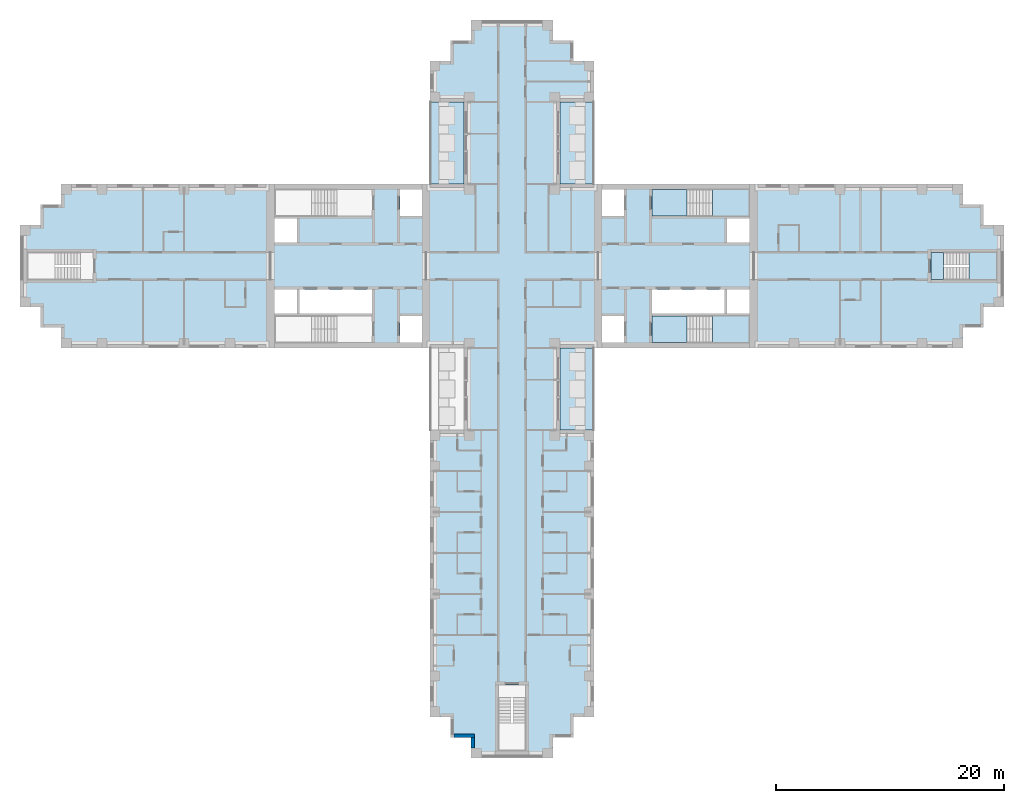
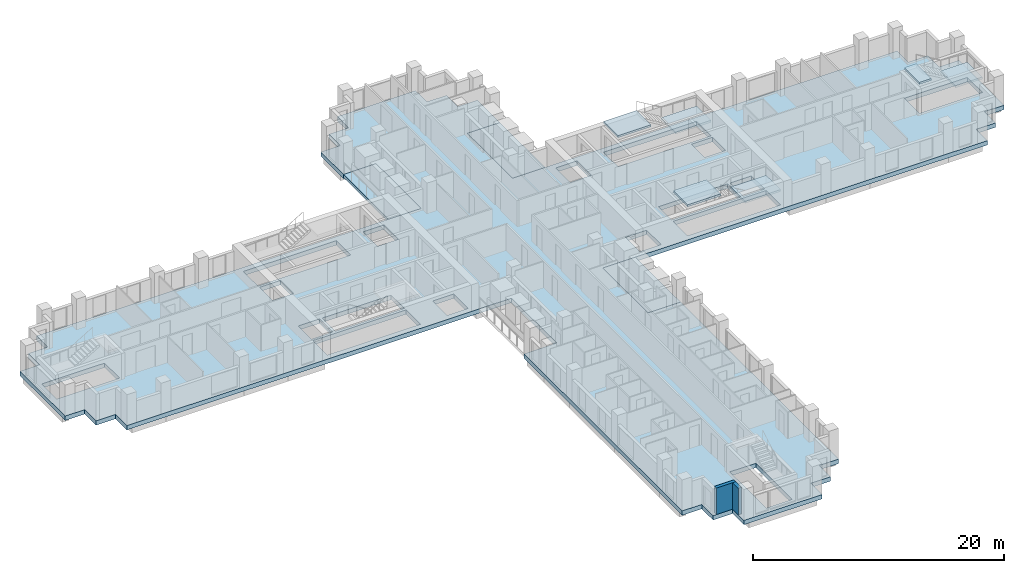
# One storey, part 2 of 14: 10 slabs, 2 walls, 3 elements without a shape of their own.
"""IFC4 building model written with IfcOpenShell, lengths in metres."""

from ifc_helpers import new_model, si_unit, direction, frame, frame_2d, origin, place, context, subcontext, project, spatial, polyline, rectangle, outline, extrude, material, layer, layer_set, type_object, element, aggregate, save


model = new_model("IFC4")

# Units and contexts
model_context = context("Model", 3, precision=1e-05, world=origin(), true_north=direction((0.0, 1.0)))
body_context = subcontext(model_context, "Body", "Model", "MODEL_VIEW")
ifc_project = project(units=[si_unit("LENGTHUNIT", "METRE"), si_unit("AREAUNIT", "SQUARE_METRE"), si_unit("VOLUMEUNIT", "CUBIC_METRE"), si_unit("PLANEANGLEUNIT", "RADIAN"), si_unit("MASSUNIT", "GRAM", prefix="KILO")], contexts=[model_context])

# Site, building, storey
site_placement = place(None, origin())
site = spatial("IfcSite", under=ifc_project, at=site_placement, CompositionType="ELEMENT")
building_placement = place(site_placement, origin())
building = spatial("IfcBuilding", under=site, at=building_placement, Name="Fustian Cross Tower", CompositionType="ELEMENT")
storey_placement = place(building_placement, frame((0.0, 0.0, 96.89990234375)))
storey = spatial("IfcBuildingStorey", under=building, at=storey_placement, Name="L30", CompositionType="ELEMENT", Elevation=96.89990234375)

# Slabs
ifc_material_1 = material(Name="Concrete C40/50", Category="concrete")
ifc_layer_1 = layer(ifc_material_1, 0.300048828125)
ifc_layer_set_1 = layer_set([ifc_layer_1], Name="Concrete C40/50")
slab_type_1 = type_object("IfcSlabType", Name="BS1 BALCONY SLAB 300", PredefinedType="FLOOR", material=ifc_layer_set_1)
slab_1_placement = place(storey_placement, frame((0.0, 0.0, -0.2998046875)))
element("IfcSlab", 1, at=slab_1_placement, inside=storey, type_object=slab_type_1, Name="Balcony slab", PredefinedType="FLOOR", context=body_context, shape_type="SweptSolid", body=[
    extrude(outline(polyline([(4.199951171875, 7.199951171875), (7.199951171875, 7.199951171875), (7.199951171875, 14.39990234375), (4.199951171875, 14.39990234375), (4.199951171875, 7.199951171875)])), origin(), (0.0, 0.0, 1.0), 0.2998046875),
])
slab_2_placement = place(storey_placement, frame((0.0, 0.0, -0.2998046875)))
element("IfcSlab", 2, at=slab_2_placement, inside=storey, type_object=slab_type_1, Name="Balcony slab", PredefinedType="FLOOR", context=body_context, shape_type="SweptSolid", body=[
    extrude(outline(polyline([(-7.199951171875, 7.199951171875), (-4.199951171875, 7.199951171875), (-4.199951171875, 14.39990234375), (-7.199951171875, 14.39990234375), (-7.199951171875, 7.199951171875)])), origin(), (0.0, 0.0, 1.0), 0.2998046875),
])
slab_3_placement = place(storey_placement, frame((0.0, 0.0, -0.2998046875)))
element("IfcSlab", 3, at=slab_3_placement, inside=storey, type_object=slab_type_1, Name="Balcony slab", PredefinedType="FLOOR", context=body_context, shape_type="SweptSolid", body=[
    extrude(outline(polyline([(4.199951171875, -14.39990234375), (7.199951171875, -14.39990234375), (7.199951171875, -7.199951171875), (4.199951171875, -7.199951171875), (4.199951171875, -14.39990234375)])), origin(), (0.0, 0.0, 1.0), 0.2998046875),
])
ifc_material_2 = material(Name="Concrete C40/50", Category="concrete")
ifc_layer_2 = layer(ifc_material_2, 0.425048828125)
ifc_layer_set_2 = layer_set([ifc_layer_2], Name="Concrete C40/50")
slab_type_2 = type_object("IfcSlabType", Name="FLAT SLAB 425", PredefinedType="FLOOR", material=ifc_layer_set_2)
slab_4_placement = place(storey_placement, frame((0.0, 0.0, -0.4248046875)))
element("IfcSlab", 4, at=slab_4_placement, inside=storey, type_object=slab_type_2, Name="FLOOR SLAB L30-1", PredefinedType="FLOOR", context=body_context, shape_type="SweptSolid", body=[
    extrude(outline(polyline([(-4.199951171875, -7.199951171875), (-39.60009765625, -7.199951171875), (-39.60009765625, -5.39990234375), (-41.39990234375, -5.39990234375), (-41.39990234375, -3.60009765625), (-43.199951171875, -3.60009765625), (-43.199951171875, 3.60009765625), (-41.39990234375, 3.60009765625), (-41.39990234375, 5.39990234375), (-39.60009765625, 5.39990234375), (-39.60009765625, 7.199951171875), (-4.199951171875, 7.199951171875), (-4.199951171875, 14.39990234375), (-7.199951171875, 14.39990234375), (-7.199951171875, 18.0), (-5.39990234375, 18.0), (-5.39990234375, 19.800048828125), (-3.60009765625, 19.800048828125), (-3.60009765625, 21.60009765625), (3.60009765625, 21.60009765625), (3.60009765625, 19.800048828125), (5.39990234375, 19.800048828125), (5.39990234375, 18.0), (7.199951171875, 18.0), (7.199951171875, 14.39990234375), (4.199951171875, 14.39990234375), (4.199951171875, 7.199951171875), (39.60009765625, 7.199951171875), (39.60009765625, 5.39990234375), (41.39990234375, 5.39990234375), (41.39990234375, 3.60009765625), (43.199951171875, 3.60009765625), (43.199951171875, -3.60009765625), (41.39990234375, -3.60009765625), (41.39990234375, -5.39990234375), (39.60009765625, -5.39990234375), (39.60009765625, -7.199951171875), (4.199951171875, -7.199951171875), (4.199951171875, -14.39990234375), (7.199951171875, -14.39990234375), (7.199951171875, -39.60009765625), (5.39990234375, -39.60009765625), (5.39990234375, -41.39990234375), (3.60009765625, -41.39990234375), (3.60009765625, -43.199951171875), (-3.60009765625, -43.199951171875), (-3.60009765625, -41.39990234375), (-5.39990234375, -41.39990234375), (-5.39990234375, -39.60009765625), (-7.199951171875, -39.60009765625), (-7.199951171875, -14.39990234375), (-4.199951171875, -14.39990234375), (-4.199951171875, -7.199951171875)]), holes=[polyline([(20.85009765625, -2.050048828125), (18.89990234375, -2.050048828125), (18.89990234375, -4.14990234375), (20.85009765625, -4.14990234375), (20.85009765625, -2.050048828125)]), polyline([(20.85009765625, 2.050048828125), (20.85009765625, 4.14990234375), (18.89990234375, 4.14990234375), (18.89990234375, 2.050048828125), (20.85009765625, 2.050048828125)]), polyline([(7.89990234375, 4.39990234375), (9.85009765625, 4.39990234375), (9.85009765625, 6.699951171875), (7.89990234375, 6.699951171875), (7.89990234375, 4.39990234375)]), polyline([(7.89990234375, -4.39990234375), (7.89990234375, -6.699951171875), (9.85009765625, -6.699951171875), (9.85009765625, -4.39990234375), (7.89990234375, -4.39990234375)]), polyline([(-18.89990234375, -2.050048828125), (-20.85009765625, -2.050048828125), (-20.85009765625, -4.14990234375), (-18.89990234375, -4.14990234375), (-18.89990234375, -2.050048828125)]), polyline([(-18.89990234375, 2.050048828125), (-18.89990234375, 4.14990234375), (-20.85009765625, 4.14990234375), (-20.85009765625, 2.050048828125), (-18.89990234375, 2.050048828125)]), polyline([(-9.85009765625, 4.39990234375), (-7.89990234375, 4.39990234375), (-7.89990234375, 6.699951171875), (-9.85009765625, 6.699951171875), (-9.85009765625, 4.39990234375)]), polyline([(-9.85009765625, -4.39990234375), (-9.85009765625, -6.699951171875), (-7.89990234375, -6.699951171875), (-7.89990234375, -4.39990234375), (-9.85009765625, -4.39990234375)]), polyline([(18.64990234375, -2.050048828125), (12.300048828125, -2.050048828125), (12.300048828125, -4.14990234375), (18.64990234375, -4.14990234375), (18.64990234375, -2.050048828125)]), polyline([(-12.300048828125, -4.14990234375), (-12.300048828125, -2.050048828125), (-18.64990234375, -2.050048828125), (-18.64990234375, -4.14990234375), (-12.300048828125, -4.14990234375)]), polyline([(12.300048828125, 4.39990234375), (20.85009765625, 4.39990234375), (20.85009765625, 6.699951171875), (12.300048828125, 6.699951171875), (12.300048828125, 4.39990234375)]), polyline([(12.300048828125, -4.39990234375), (12.300048828125, -6.699951171875), (20.85009765625, -6.699951171875), (20.85009765625, -4.39990234375), (12.300048828125, -4.39990234375)]), polyline([(-12.300048828125, 6.699951171875), (-20.85009765625, 6.699951171875), (-20.85009765625, 4.39990234375), (-12.300048828125, 4.39990234375), (-12.300048828125, 6.699951171875)]), polyline([(-12.300048828125, -6.699951171875), (-12.300048828125, -4.39990234375), (-20.85009765625, -4.39990234375), (-20.85009765625, -6.699951171875), (-12.300048828125, -6.699951171875)]), polyline([(-1.199951171875, -42.60009765625), (1.199951171875, -42.60009765625), (1.199951171875, -36.800048828125), (-1.199951171875, -36.800048828125), (-1.199951171875, -42.60009765625)]), polyline([(36.800048828125, 1.199951171875), (36.800048828125, -1.199951171875), (42.60009765625, -1.199951171875), (42.60009765625, 1.199951171875), (36.800048828125, 1.199951171875)]), polyline([(-36.800048828125, 1.199951171875), (-42.60009765625, 1.199951171875), (-42.60009765625, -1.199951171875), (-36.800048828125, -1.199951171875), (-36.800048828125, 1.199951171875)])]), origin(), (0.0, 0.0, 1.0), 0.4248046875),
])

# Stair, slabs
ifc_material_3 = material(Name="Concrete C50/60", Category="concrete")
stair_type_1 = type_object("IfcStairType", Name="STAIR 1150 HALF TURN", PredefinedType="HALF_TURN_STAIR", material=ifc_material_3)
stair_1_placement = place(storey_placement, origin())
stair_1 = element("IfcStair", 5, at=stair_1_placement, inside=storey, type_object=stair_type_1, Name="Stair ST1", PredefinedType="HALF_TURN_STAIR")
ifc_material_4 = material(Name="Concrete C50/60", Category="concrete")
ifc_layer_3 = layer(ifc_material_4, 0.199951171875)
ifc_layer_set_3 = layer_set([ifc_layer_3], Name="Concrete C50/60")
slab_type_3 = type_object("IfcSlabType", Name="STAIR LANDING", PredefinedType="LANDING", material=ifc_layer_set_3)
slab_5_placement = place(storey_placement, frame((0.0, 0.0, 1.300048828125)))
slab_5 = element("IfcSlab", 6, at=slab_5_placement, type_object=slab_type_3, Name="ST1 landing 1", PredefinedType="LANDING", context=body_context, shape_type="SweptSolid", body=[
    extrude(outline(polyline([(17.590087890625, 4.39990234375), (20.85009765625, 4.39990234375), (20.85009765625, 6.699951171875), (17.590087890625, 6.699951171875), (17.590087890625, 4.39990234375)])), origin(), (0.0, 0.0, 1.0), 0.199951171875),
])
slab_6_placement = place(storey_placement, frame((0.0, 0.0, 2.800048828125)))
slab_6 = element("IfcSlab", 7, at=slab_6_placement, type_object=slab_type_3, Name="ST1 landing 2", PredefinedType="LANDING", context=body_context, shape_type="SweptSolid", body=[
    extrude(outline(polyline([(12.300048828125, 4.39990234375), (15.35009765625, 4.39990234375), (15.35009765625, 6.699951171875), (12.300048828125, 6.699951171875), (12.300048828125, 4.39990234375)])), origin(), (0.0, 0.0, 1.0), 0.199951171875),
])
aggregate(stair_1, [slab_5, slab_6])

stair_2_placement = place(storey_placement, origin())
stair_2 = element("IfcStair", 8, at=stair_2_placement, inside=storey, type_object=stair_type_1, Name="Stair ST2", PredefinedType="HALF_TURN_STAIR")
slab_7_placement = place(storey_placement, frame((0.0, 0.0, 1.300048828125)))
slab_7 = element("IfcSlab", 9, at=slab_7_placement, type_object=slab_type_3, Name="ST2 landing 1", PredefinedType="LANDING", context=body_context, shape_type="SweptSolid", body=[
    extrude(outline(polyline([(17.590087890625, -4.39990234375), (20.85009765625, -4.39990234375), (20.85009765625, -6.699951171875), (17.590087890625, -6.699951171875), (17.590087890625, -4.39990234375)])), origin(), (0.0, 0.0, 1.0), 0.199951171875),
])
slab_8_placement = place(storey_placement, frame((0.0, 0.0, 2.800048828125)))
slab_8 = element("IfcSlab", 10, at=slab_8_placement, type_object=slab_type_3, Name="ST2 landing 2", PredefinedType="LANDING", context=body_context, shape_type="SweptSolid", body=[
    extrude(outline(polyline([(12.300048828125, -4.39990234375), (15.35009765625, -4.39990234375), (15.35009765625, -6.699951171875), (12.300048828125, -6.699951171875), (12.300048828125, -4.39990234375)])), origin(), (0.0, 0.0, 1.0), 0.199951171875),
])
aggregate(stair_2, [slab_7, slab_8])

ifc_material_5 = material(Name="Concrete C50/60", Category="concrete")
stair_type_2 = type_object("IfcStairType", Name="STAIR 1100 HALF TURN", PredefinedType="HALF_TURN_STAIR", material=ifc_material_5)
stair_3_placement = place(storey_placement, origin())
stair_3 = element("IfcStair", 11, at=stair_3_placement, inside=storey, type_object=stair_type_2, Name="Stair ST8", PredefinedType="HALF_TURN_STAIR")
slab_9_placement = place(storey_placement, frame((0.0, 0.0, 1.300048828125)))
slab_9 = element("IfcSlab", 12, at=slab_9_placement, type_object=slab_type_3, Name="ST8 landing 1", PredefinedType="LANDING", context=body_context, shape_type="SweptSolid", body=[
    extrude(outline(polyline([(40.139892578125, -1.199951171875), (42.60009765625, -1.199951171875), (42.60009765625, 1.199951171875), (40.139892578125, 1.199951171875), (40.139892578125, -1.199951171875)])), origin(), (0.0, 0.0, 1.0), 0.199951171875),
])
slab_10_placement = place(storey_placement, frame((0.0, 0.0, 2.800048828125)))
slab_10 = element("IfcSlab", 13, at=slab_10_placement, type_object=slab_type_3, Name="ST8 landing 2", PredefinedType="LANDING", context=body_context, shape_type="SweptSolid", body=[
    extrude(outline(polyline([(36.800048828125, -1.199951171875), (37.89990234375, -1.199951171875), (37.89990234375, 1.199951171875), (36.800048828125, 1.199951171875), (36.800048828125, -1.199951171875)])), origin(), (0.0, 0.0, 1.0), 0.199951171875),
])
aggregate(stair_3, [slab_9, slab_10])

# Walls
ifc_material_6 = material(Name="Dark aluminium cladding on insulated backing wall", Category="aluminium")
ifc_layer_4 = layer(ifc_material_6, 0.300048828125)
ifc_layer_set_4 = layer_set([ifc_layer_4], Name="Dark aluminium cladding on insulated backing wall")
wall_type = type_object("IfcWallType", Name="XW1 EXTERNAL WALL 300", PredefinedType="SOLIDWALL", material=ifc_layer_set_4)
wall_1_placement = place(storey_placement, frame((-5.10009765625, -41.25, 0.0), z_axis=(0.0, 0.0, 1.0), x_axis=(1.0, 0.0, 0.0)))
element("IfcWall", 14, at=wall_1_placement, inside=storey, type_object=wall_type, Name="External wall", PredefinedType="SOLIDWALL", context=body_context, shape_type="SweptSolid", body=[
    extrude(rectangle(XDim=1.800048828125, YDim=0.300048828125, at=frame_2d((0.89990234375, 0.0))), origin(), (0.0, 0.0, 1.0), 2.5751953125),
])
wall_2_placement = place(storey_placement, frame((-3.449951171875, -41.39990234375, 0.0), z_axis=(0.0, 0.0, 1.0), x_axis=(0.0, -1.0, 0.0)))
element("IfcWall", 15, at=wall_2_placement, inside=storey, type_object=wall_type, Name="External wall", PredefinedType="SOLIDWALL", context=body_context, shape_type="SweptSolid", body=[
    extrude(rectangle(XDim=0.900146484375, YDim=0.300048828125, at=frame_2d((0.4501953125, 0.0))), origin(), (0.0, 0.0, 1.0), 2.5751953125),
])

save(model, "model.ifc")
